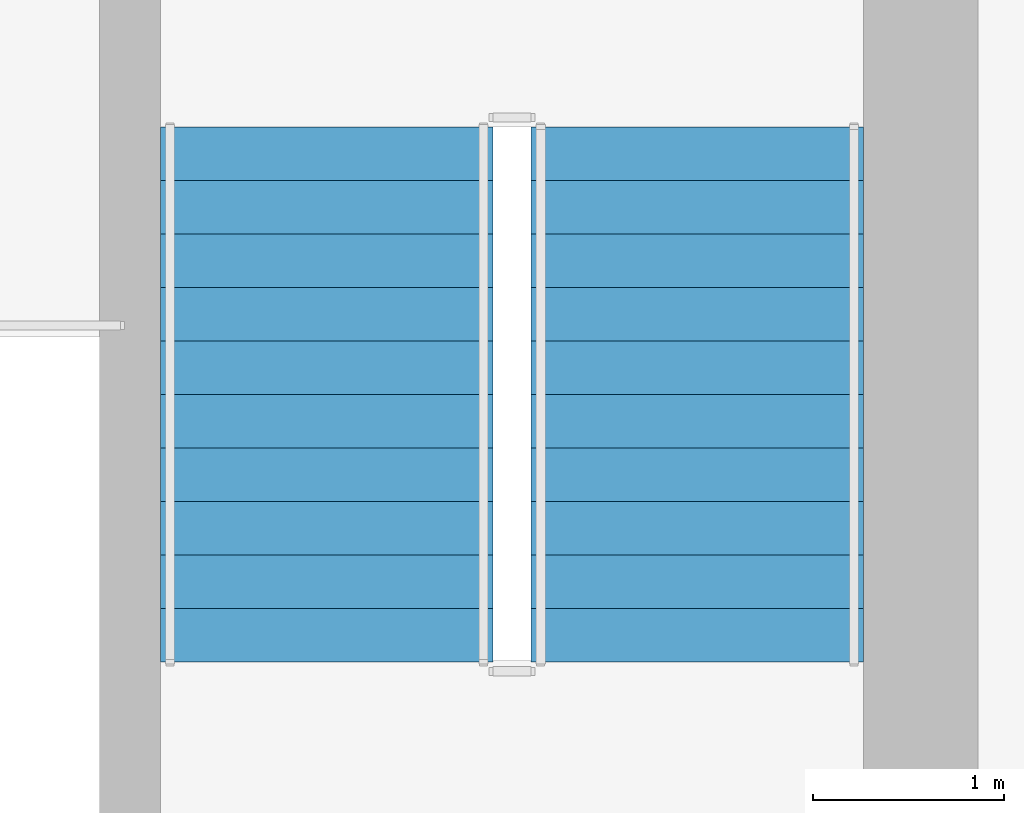
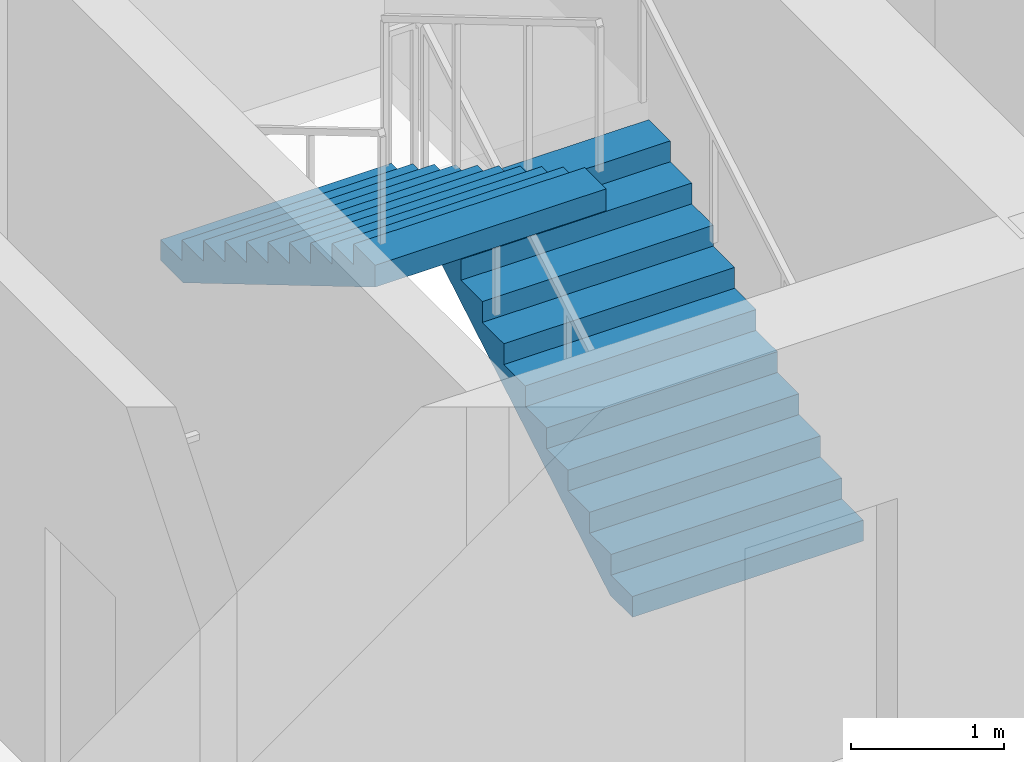
# One storey, part 8 of 9: 2 stair flights, 1 element without a shape of its own.
"""IFC4 building model written with IfcOpenShell, lengths in metres."""

from ifc_helpers import new_model, si_unit, direction, frame, origin, place, context, subcontext, project, spatial, polyline, outline, extrude, material, type_object, element, aggregate, save


model = new_model("IFC4")

# Units and contexts
model_context = context("Model", 3, precision=1e-05, world=origin(), true_north=direction((0.0, 1.0)))
body_context = subcontext(model_context, "Body", "Model", "MODEL_VIEW")
ifc_project = project(units=[si_unit("LENGTHUNIT", "METRE"), si_unit("AREAUNIT", "SQUARE_METRE"), si_unit("VOLUMEUNIT", "CUBIC_METRE"), si_unit("PLANEANGLEUNIT", "RADIAN"), si_unit("MASSUNIT", "GRAM", prefix="KILO")], contexts=[model_context])

# Site, building, storey
site_placement = place(None, origin())
site = spatial("IfcSite", under=ifc_project, at=site_placement, CompositionType="ELEMENT")
building_placement = place(site_placement, origin())
building = spatial("IfcBuilding", under=site, at=building_placement, Name="Talyreon Biosciences Tower", CompositionType="ELEMENT")
storey_placement = place(building_placement, frame((0.0, 0.0, 309.35009765625)))
storey = spatial("IfcBuildingStorey", under=building, at=storey_placement, Name="L82", CompositionType="ELEMENT", Elevation=309.35009765625)

# Stair, stair flights
ifc_material = material(Name="Concrete C40/50", Category="concrete")
stair_type = type_object("IfcStairType", Name="DoglegEscapeStair_3650", PredefinedType="HALF_TURN_STAIR", material=ifc_material)
stair_placement = place(storey_placement, origin())
stair = element("IfcStair", 1, at=stair_placement, inside=storey, type_object=stair_type, Name="L82 Core Escape Stair 2", PredefinedType="HALF_TURN_STAIR")
stair_flight_type = type_object("IfcStairFlightType", Name="PrecastStairFlight_3650", PredefinedType="STRAIGHT", material=ifc_material)
stair_flight_1_placement = place(storey_placement, frame((72.8798828125, 63.39990234375, 0.0), z_axis=(0.0, 0.0, 1.0), x_axis=(0.0, 1.0, 0.0)))
stair_flight_1 = element("IfcStairFlight", 2, at=stair_flight_1_placement, type_object=stair_flight_type, Name="ST-2 flight 1", NumberOfRisers=11, NumberOfTreads=10, PredefinedType="STRAIGHT", RiserHeight=0.165909091, TreadLength=0.28, context=body_context, shape_type="SweptSolid", body=[
    extrude(outline(polyline([(0.0, 0.0), (0.0, 0.166015625), (0.280029296875, 0.166015625), (0.280029296875, 0.331787109375), (0.56005859375, 0.331787109375), (0.56005859375, 0.497802734375), (0.840087890625, 0.497802734375), (0.840087890625, 0.66357421875), (1.1201171875, 0.66357421875), (1.1201171875, 0.82958984375), (1.39990234375, 0.82958984375), (1.39990234375, 0.995361328125), (1.679931640625, 0.995361328125), (1.679931640625, 1.161376953125), (1.9599609375, 1.161376953125), (1.9599609375, 1.327392578125), (2.239990234375, 1.327392578125), (2.239990234375, 1.4931640625), (2.52001953125, 1.4931640625), (2.52001953125, 1.6591796875), (2.800048828125, 1.6591796875), (2.800048828125, 1.824951171875), (2.800048828125, 1.48486328125), (0.2939453125, 0.0), (0.0, 0.0)])), frame((0.0, 0.8701171875, 0.0), z_axis=(0.0, -1.0, 0.0), x_axis=(1.0, 0.0, 0.0)), (0.0, 0.0, 1.0), 1.739990234375),
])
stair_flight_2_placement = place(storey_placement, frame((70.93994140625, 66.199951171875, 1.824951171875), z_axis=(0.0, 0.0, 1.0), x_axis=(0.0, -1.0, 0.0)))
stair_flight_2 = element("IfcStairFlight", 3, at=stair_flight_2_placement, type_object=stair_flight_type, Name="ST-2 flight 2", NumberOfRisers=11, NumberOfTreads=10, PredefinedType="STRAIGHT", RiserHeight=0.165909091, TreadLength=0.28, context=body_context, shape_type="SweptSolid", body=[
    extrude(outline(polyline([(0.0, 0.0), (0.0, 0.166015625), (0.280029296875, 0.166015625), (0.280029296875, 0.331787109375), (0.56005859375, 0.331787109375), (0.56005859375, 0.497802734375), (0.840087890625, 0.497802734375), (0.840087890625, 0.66357421875), (1.1201171875, 0.66357421875), (1.1201171875, 0.82958984375), (1.39990234375, 0.82958984375), (1.39990234375, 0.995361328125), (1.679931640625, 0.995361328125), (1.679931640625, 1.161376953125), (1.9599609375, 1.161376953125), (1.9599609375, 1.327392578125), (2.239990234375, 1.327392578125), (2.239990234375, 1.4931640625), (2.52001953125, 1.4931640625), (2.52001953125, 1.6591796875), (2.800048828125, 1.6591796875), (2.800048828125, 1.824951171875), (2.800048828125, 1.48486328125), (0.2939453125, 0.0), (0.0, 0.0)])), frame((0.0, 0.8701171875, 0.0), z_axis=(0.0, -1.0, 0.0), x_axis=(1.0, 0.0, 0.0)), (0.0, 0.0, 1.0), 1.739990234375),
])
aggregate(stair, [stair_flight_1, stair_flight_2])

save(model, "model.ifc")
